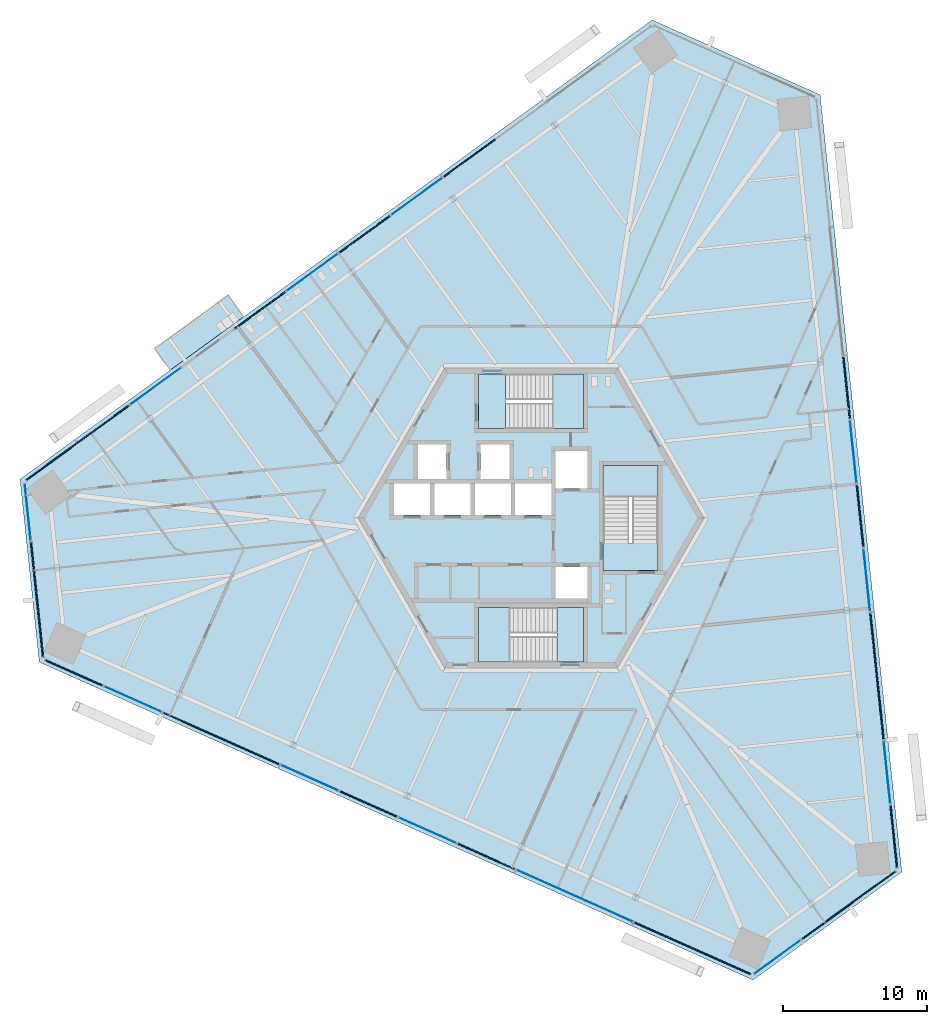
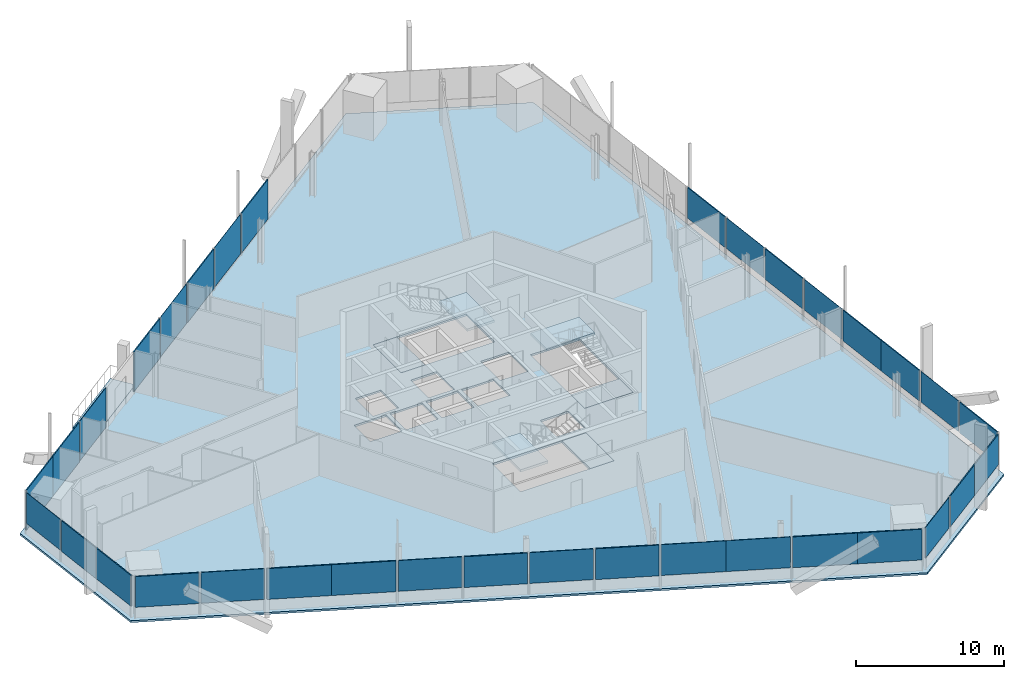
# One storey, part 9 of 21: 34 plates, 8 slabs, 30 elements without a shape of their own.
"""IFC4 building model written with IfcOpenShell, lengths in metres."""

from ifc_helpers import new_model, si_unit, direction, frame, origin, origin_2d, place, context, subcontext, project, spatial, polyline, rectangle, outline, extrude, source, transform, mapped, material, layer, layer_set, type_object, element, aggregate, save


model = new_model("IFC4")

# Units and contexts
model_context = context("Model", 3, precision=1e-05, world=origin(), true_north=direction((0.0, 1.0)))
body_context = subcontext(model_context, "Body", "Model", "MODEL_VIEW")
ifc_project = project(units=[si_unit("LENGTHUNIT", "METRE"), si_unit("AREAUNIT", "SQUARE_METRE"), si_unit("VOLUMEUNIT", "CUBIC_METRE"), si_unit("PLANEANGLEUNIT", "RADIAN"), si_unit("MASSUNIT", "GRAM", prefix="KILO")], contexts=[model_context])

# Site, building, storey
site_placement = place(None, origin())
site = spatial("IfcSite", under=ifc_project, at=site_placement, CompositionType="ELEMENT")
building_placement = place(site_placement, origin())
building = spatial("IfcBuilding", under=site, at=building_placement, Name="Triune Harvest Tower", CompositionType="ELEMENT")
storey_placement = place(building_placement, frame((0.0, 0.0, 87.300048828125)))
storey = spatial("IfcBuildingStorey", under=building, at=storey_placement, Name="L21", CompositionType="ELEMENT", Elevation=87.300048828125)

# Slab
ifc_material_1 = material(Name="Concrete 40 MPa", Category="concrete")
ifc_layer_1 = layer(ifc_material_1, 0.159912109375)
ifc_layer_set_1 = layer_set([ifc_layer_1], Name="Concrete 40 MPa")
slab_type_1 = type_object("IfcSlabType", Name="BA-1 balcony slab 160", PredefinedType="FLOOR", material=ifc_layer_set_1)
slab_1_placement = place(storey_placement, frame((0.0, 0.0, -0.16015625)))
element("IfcSlab", 1, at=slab_1_placement, inside=storey, type_object=slab_type_1, Name="Balcony slab B2-F3 L21.9", PredefinedType="FLOOR", context=body_context, shape_type="SweptSolid", body=[
    extrude(outline(polyline([(-19.9189453125, 13.954833984375), (-25.01708984375, 10.2509765625), (-26.101318359375, 11.743408203125), (-21.003173828125, 15.447265625), (-19.9189453125, 13.954833984375)])), origin(), (0.0, 0.0, 1.0), 0.16015625),
])

# Curtain wall, plate
ifc_material_2 = material(Name="Aluminium bronze anodised", Category="aluminium")
curtain_wall_type_1 = type_object("IfcCurtainWallType", Name="CW-6 Balcony window wall", PredefinedType="NOTDEFINED", material=ifc_material_2)
curtain_wall_1_placement = place(storey_placement, origin())
curtain_wall_1 = element("IfcCurtainWall", 2, at=curtain_wall_1_placement, inside=storey, type_object=curtain_wall_type_1, Name="CW-6 B2-F3 L21 run 3001")
ifc_material_3 = material(Name="Glass", Category="glass")
ifc_layer_2 = layer(ifc_material_3, 0.030029296875)
ifc_layer_set_2 = layer_set([ifc_layer_2], Name="Glass")
plate_type_1 = type_object("IfcPlateType", Name="GL-6 panel 30", PredefinedType="CURTAIN_PANEL", material=ifc_layer_set_2)
plate_1_placement = place(storey_placement, frame((-7.929931640625, 22.29443359375, 0.14990234375), z_axis=(0.0, 0.0, 1.0), x_axis=(-0.809021101317, -0.58777959953, 0.0)))
plate_1 = element("IfcPlate", 3, at=plate_1_placement, type_object=plate_type_1, Name="CW-6 panel B2-F3 3001.1", PredefinedType="CURTAIN_PANEL", context=body_context, shape_type="SweptSolid", body=[
    extrude(rectangle(XDim=4.32421875, YDim=0.030029296875, at=origin_2d()), origin(), (0.0, 0.0, 1.0), 3.2900390625),
])
aggregate(curtain_wall_1, [plate_1])

curtain_wall_2_placement = place(storey_placement, origin())
curtain_wall_2 = element("IfcCurtainWall", 4, at=curtain_wall_2_placement, inside=storey, type_object=curtain_wall_type_1, Name="CW-6 B2-F3 L21 run 2")
plate_2_placement = place(storey_placement, frame((-26.030517578125, 9.143798828125, 0.14990234375), z_axis=(0.0, 0.0, 1.0), x_axis=(-0.809011145328, -0.587793302731, 0.0)))
plate_2 = element("IfcPlate", 5, at=plate_2_placement, type_object=plate_type_1, Name="CW-6 panel B2-F3 2.1", PredefinedType="CURTAIN_PANEL", context=body_context, shape_type="SweptSolid", body=[
    extrude(rectangle(XDim=4.3056640625, YDim=0.030029296875, at=origin_2d()), origin(), (0.0, 0.0, 1.0), 3.2900390625),
])
aggregate(curtain_wall_2, [plate_2])

# Slab
ifc_material_4 = material(Name="Concrete 40 MPa", Category="concrete")
ifc_layer_3 = layer(ifc_material_4, 0.159912109375)
ifc_layer_set_3 = layer_set([ifc_layer_3], Name="Concrete 40 MPa")
slab_type_2 = type_object("IfcSlabType", Name="SL-1 Composite floor slab 160", PredefinedType="FLOOR", material=ifc_layer_set_3)
shared_shape_1 = source(origin(), body_context, "Body", "SweptSolid", [
    extrude(outline(polyline([(25.703125, -24.534423828125), (20.04052734375, 29.34228515625), (8.395751953125, 34.526611328125), (-35.431396484375, 2.6845703125), (-34.098876953125, -9.992431640625), (15.390869140625, -32.026611328125), (25.703125, -24.534423828125)]), holes=[polyline([(-7.0, 0.2099609375), (-7.0, 2.409912109375), (-9.5, 2.409912109375), (-9.5, 0.2099609375), (-7.0, 0.2099609375)]), polyline([(-4.199951171875, 0.2099609375), (-4.199951171875, 2.409912109375), (-6.699951171875, 2.409912109375), (-6.699951171875, 0.2099609375), (-4.199951171875, 0.2099609375)]), polyline([(-1.39990234375, 0.2099609375), (-1.39990234375, 2.409912109375), (-3.89990234375, 2.409912109375), (-3.89990234375, 0.2099609375), (-1.39990234375, 0.2099609375)]), polyline([(1.39990234375, 0.2099609375), (1.39990234375, 2.409912109375), (-1.10009765625, 2.409912109375), (-1.10009765625, 0.2099609375), (1.39990234375, 0.2099609375)]), polyline([(3.89990234375, 2.06005859375), (3.89990234375, 4.659912109375), (1.699951171875, 4.659912109375), (1.699951171875, 2.06005859375), (3.89990234375, 2.06005859375)]), polyline([(3.89990234375, -5.590087890625), (3.89990234375, -3.389892578125), (1.699951171875, -3.389892578125), (1.699951171875, -5.590087890625), (3.89990234375, -5.590087890625)]), polyline([(-5.85009765625, 2.7099609375), (-5.85009765625, 5.110107421875), (-7.85009765625, 5.110107421875), (-7.85009765625, 2.7099609375), (-5.85009765625, 2.7099609375)]), polyline([(-1.5, 2.7099609375), (-1.5, 5.110107421875), (-3.5, 5.110107421875), (-3.5, 2.7099609375), (-1.5, 2.7099609375)]), polyline([(3.64990234375, 6.18994140625), (3.64990234375, 9.989990234375), (-3.64990234375, 9.989990234375), (-3.64990234375, 6.18994140625), (3.64990234375, 6.18994140625)]), polyline([(3.64990234375, -9.989990234375), (3.64990234375, -6.18994140625), (-3.64990234375, -6.18994140625), (-3.64990234375, -9.989990234375), (3.64990234375, -9.989990234375)]), polyline([(8.800048828125, -3.64990234375), (8.800048828125, 3.64990234375), (5.0, 3.64990234375), (5.0, -3.64990234375), (8.800048828125, -3.64990234375)])]), origin(), (0.0, 0.0, 1.0), 0.16015625),
])
slab_2_placement = place(storey_placement, frame((0.0, 0.0, -0.16015625)))
element("IfcSlab", 6, at=slab_2_placement, inside=storey, type_object=slab_type_2, Name="slab/L21/1", PredefinedType="FLOOR", context=body_context, shape_type="MappedRepresentation", body=[
    mapped(shared_shape_1, transform((0.0, 0.0, 0.0), scale=1.0)),
])

# Stair, slabs
ifc_material_5 = material(Name="Concrete 40 MPa", Category="concrete")
stair_type = type_object("IfcStairType", Name="Exit stair 1800 half turn", PredefinedType="HALF_TURN_STAIR", material=ifc_material_5)
stair_1_placement = place(storey_placement, origin())
stair_1 = element("IfcStair", 7, at=stair_1_placement, inside=storey, type_object=stair_type, Name="Exit stair north", PredefinedType="HALF_TURN_STAIR")
ifc_material_6 = material(Name="Concrete 40 MPa", Category="concrete")
ifc_layer_4 = layer(ifc_material_6, 0.199951171875)
ifc_layer_set_4 = layer_set([ifc_layer_4], Name="Concrete 40 MPa")
slab_type_3 = type_object("IfcSlabType", Name="Stair landing 200", PredefinedType="LANDING", material=ifc_layer_set_4)
shared_shape_2 = source(origin(), body_context, "Body", "SweptSolid", [
    extrude(outline(polyline([(-3.64990234375, 6.18994140625), (-1.780029296875, 6.18994140625), (-1.780029296875, 9.989990234375), (-3.64990234375, 9.989990234375), (-3.64990234375, 6.18994140625)])), origin(), (0.0, 0.0, 1.0), 0.199951171875),
])
slab_3_placement = place(storey_placement, frame((0.0, 0.0, -0.199951171875)))
slab_3 = element("IfcSlab", 8, at=slab_3_placement, type_object=slab_type_3, Name="ST-1 landing 1", PredefinedType="LANDING", context=body_context, shape_type="MappedRepresentation", body=[
    mapped(shared_shape_2, transform((0.0, 0.0, 0.0), scale=1.0)),
])
shared_shape_3 = source(origin(), body_context, "Body", "SweptSolid", [
    extrude(outline(polyline([(1.510009765625, 6.18994140625), (3.64990234375, 6.18994140625), (3.64990234375, 9.989990234375), (1.510009765625, 9.989990234375), (1.510009765625, 6.18994140625)])), origin(), (0.0, 0.0, 1.0), 0.2001953125),
])
slab_4_placement = place(storey_placement, frame((0.0, 0.0, 1.599853515625)))
slab_4 = element("IfcSlab", 9, at=slab_4_placement, type_object=slab_type_3, Name="ST-1 landing 2", PredefinedType="LANDING", context=body_context, shape_type="MappedRepresentation", body=[
    mapped(shared_shape_3, transform((0.0, 0.0, 0.0), scale=1.0)),
])
aggregate(stair_1, [slab_3, slab_4])

stair_2_placement = place(storey_placement, origin())
stair_2 = element("IfcStair", 10, at=stair_2_placement, inside=storey, type_object=stair_type, Name="Exit stair south", PredefinedType="HALF_TURN_STAIR")
shared_shape_4 = source(origin(), body_context, "Body", "SweptSolid", [
    extrude(outline(polyline([(3.64990234375, -6.18994140625), (1.780029296875, -6.18994140625), (1.780029296875, -9.989990234375), (3.64990234375, -9.989990234375), (3.64990234375, -6.18994140625)])), origin(), (0.0, 0.0, 1.0), 0.199951171875),
])
slab_5_placement = place(storey_placement, frame((0.0, 0.0, -0.199951171875)))
slab_5 = element("IfcSlab", 11, at=slab_5_placement, type_object=slab_type_3, Name="ST-2 landing 1", PredefinedType="LANDING", context=body_context, shape_type="MappedRepresentation", body=[
    mapped(shared_shape_4, transform((0.0, 0.0, 0.0), scale=1.0)),
])
shared_shape_5 = source(origin(), body_context, "Body", "SweptSolid", [
    extrude(outline(polyline([(-1.510009765625, -6.18994140625), (-3.64990234375, -6.18994140625), (-3.64990234375, -9.989990234375), (-1.510009765625, -9.989990234375), (-1.510009765625, -6.18994140625)])), origin(), (0.0, 0.0, 1.0), 0.2001953125),
])
slab_6_placement = place(storey_placement, frame((0.0, 0.0, 1.599853515625)))
slab_6 = element("IfcSlab", 12, at=slab_6_placement, type_object=slab_type_3, Name="ST-2 landing 2", PredefinedType="LANDING", context=body_context, shape_type="MappedRepresentation", body=[
    mapped(shared_shape_5, transform((0.0, 0.0, 0.0), scale=1.0)),
])
aggregate(stair_2, [slab_5, slab_6])

stair_3_placement = place(storey_placement, origin())
stair_3 = element("IfcStair", 13, at=stair_3_placement, inside=storey, type_object=stair_type, Name="Exit stair east", PredefinedType="HALF_TURN_STAIR")
shared_shape_6 = source(origin(), body_context, "Body", "SweptSolid", [
    extrude(outline(polyline([(8.800048828125, -3.64990234375), (8.800048828125, -1.780029296875), (5.0, -1.780029296875), (5.0, -3.64990234375), (8.800048828125, -3.64990234375)])), origin(), (0.0, 0.0, 1.0), 0.199951171875),
])
slab_7_placement = place(storey_placement, frame((0.0, 0.0, -0.199951171875)))
slab_7 = element("IfcSlab", 14, at=slab_7_placement, type_object=slab_type_3, Name="ST-3 landing 1", PredefinedType="LANDING", context=body_context, shape_type="MappedRepresentation", body=[
    mapped(shared_shape_6, transform((0.0, 0.0, 0.0), scale=1.0)),
])
shared_shape_7 = source(origin(), body_context, "Body", "SweptSolid", [
    extrude(outline(polyline([(8.800048828125, 1.510009765625), (8.800048828125, 3.64990234375), (5.0, 3.64990234375), (5.0, 1.510009765625), (8.800048828125, 1.510009765625)])), origin(), (0.0, 0.0, 1.0), 0.2001953125),
])
slab_8_placement = place(storey_placement, frame((0.0, 0.0, 1.599853515625)))
slab_8 = element("IfcSlab", 15, at=slab_8_placement, type_object=slab_type_3, Name="ST-3 landing 2", PredefinedType="LANDING", context=body_context, shape_type="MappedRepresentation", body=[
    mapped(shared_shape_7, transform((0.0, 0.0, 0.0), scale=1.0)),
])
aggregate(stair_3, [slab_7, slab_8])

# Curtain wall, plates
ifc_material_7 = material(Name="Aluminium bronze anodised", Category="aluminium")
curtain_wall_type_2 = type_object("IfcCurtainWallType", Name="CW-10 Balcony window wall with insulated spandrel infill", PredefinedType="NOTDEFINED", material=ifc_material_7)
curtain_wall_3_placement = place(storey_placement, origin())
curtain_wall_3 = element("IfcCurtainWall", 16, at=curtain_wall_3_placement, inside=storey, type_object=curtain_wall_type_2, Name="CW-10 B2-F3 L21 run 1002")
ifc_material_8 = material(Name="Insulated spandrel panel, bronze aluminium pan", Category="aluminium")
ifc_layer_5 = layer(ifc_material_8, 0.080078125)
ifc_layer_set_5 = layer_set([ifc_layer_5], Name="Insulated spandrel panel, bronze aluminium pan")
plate_type_2 = type_object("IfcPlateType", Name="SP-1 insulated spandrel panel 80", PredefinedType="CURTAIN_PANEL", material=ifc_layer_set_5)
shared_shape_8 = source(origin(), body_context, "Body", "SweptSolid", [
    extrude(rectangle(XDim=4.380615234375, YDim=0.080078125, at=origin_2d()), origin(), (0.0, 0.0, 1.0), 3.2900390625),
])
plate_3_placement = place(storey_placement, frame((-29.665283203125, 6.5029296875, 0.14990234375), z_axis=(0.0, 0.0, 1.0), x_axis=(-0.80901994747, -0.587781187685, 0.0)))
plate_3 = element("IfcPlate", 17, at=plate_3_placement, type_object=plate_type_2, Name="CW-10 panel B2-F3 1002.1", PredefinedType="CURTAIN_PANEL", context=body_context, shape_type="MappedRepresentation", body=[
    mapped(shared_shape_8, transform((0.0, 0.0, 0.0), scale=1.0)),
])
plate_4_placement = place(storey_placement, frame((-33.209228515625, 3.927978515625, 0.14990234375), z_axis=(0.0, 0.0, 1.0), x_axis=(-0.80901994747, -0.587781187685, 0.0)))
plate_4 = element("IfcPlate", 18, at=plate_4_placement, type_object=plate_type_2, Name="CW-10 panel B2-F3 1002.2", PredefinedType="CURTAIN_PANEL", context=body_context, shape_type="MappedRepresentation", body=[
    mapped(shared_shape_8, transform((0.0, 0.0, 0.0), scale=1.0)),
])
aggregate(curtain_wall_3, [plate_3, plate_4])

ifc_material_9 = material(Name="Aluminium bronze anodised", Category="aluminium")
curtain_wall_type_3 = type_object("IfcCurtainWallType", Name="CW-7 Tower stick curtain wall with insulated spandrel infill", PredefinedType="NOTDEFINED", material=ifc_material_9)
curtain_wall_4_placement = place(storey_placement, origin())
curtain_wall_4 = element("IfcCurtainWall", 19, at=curtain_wall_4_placement, inside=storey, type_object=curtain_wall_type_3, Name="CW-7 B2-F1 L21 run 2001")
shared_shape_9 = source(origin(), body_context, "Body", "SweptSolid", [
    extrude(rectangle(XDim=4.3955078125, YDim=0.080078125, at=origin_2d()), origin(), (0.0, 0.0, 1.0), 2.5400390625),
])
plate_5_placement = place(storey_placement, frame((24.205078125, -13.1513671875, 0.89990234375), z_axis=(0.0, 0.0, 1.0), x_axis=(-0.104527591495, 0.994521986995, 0.0)))
plate_5 = element("IfcPlate", 20, at=plate_5_placement, type_object=plate_type_2, Name="CW-7 panel B2-F1 2001.1", PredefinedType="CURTAIN_PANEL", context=body_context, shape_type="MappedRepresentation", body=[
    mapped(shared_shape_9, transform((0.0, 0.0, 0.0), scale=1.0)),
])
plate_6_placement = place(storey_placement, frame((23.74560546875, -8.780029296875, 0.89990234375), z_axis=(0.0, 0.0, 1.0), x_axis=(-0.104527591495, 0.994521986995, 0.0)))
plate_6 = element("IfcPlate", 21, at=plate_6_placement, type_object=plate_type_2, Name="CW-7 panel B2-F1 2001.2", PredefinedType="CURTAIN_PANEL", context=body_context, shape_type="MappedRepresentation", body=[
    mapped(shared_shape_9, transform((0.0, 0.0, 0.0), scale=1.0)),
])
aggregate(curtain_wall_4, [plate_5, plate_6])

curtain_wall_5_placement = place(storey_placement, origin())
curtain_wall_5 = element("IfcCurtainWall", 22, at=curtain_wall_5_placement, inside=storey, type_object=curtain_wall_type_3, Name="CW-7 B2-F5 L21 run 2001")
plate_7_placement = place(storey_placement, frame((-23.491943359375, -14.386474609375, 0.89990234375), z_axis=(0.0, 0.0, 1.0), x_axis=(0.913544311665, -0.406739216975, 0.0)))
plate_7 = element("IfcPlate", 23, at=plate_7_placement, type_object=plate_type_2, Name="CW-7 panel B2-F5 2001.1", PredefinedType="CURTAIN_PANEL", context=body_context, shape_type="MappedRepresentation", body=[
    mapped(shared_shape_9, transform((0.0, 0.0, 0.0), scale=1.0)),
])
plate_8_placement = place(storey_placement, frame((-19.476318359375, -16.17431640625, 0.89990234375), z_axis=(0.0, 0.0, 1.0), x_axis=(0.913544311665, -0.406739216975, 0.0)))
plate_8 = element("IfcPlate", 24, at=plate_8_placement, type_object=plate_type_2, Name="CW-7 panel B2-F5 2001.2", PredefinedType="CURTAIN_PANEL", context=body_context, shape_type="MappedRepresentation", body=[
    mapped(shared_shape_9, transform((0.0, 0.0, 0.0), scale=1.0)),
])
aggregate(curtain_wall_5, [plate_7, plate_8])

curtain_wall_6_placement = place(storey_placement, origin())
curtain_wall_6 = element("IfcCurtainWall", 25, at=curtain_wall_6_placement, inside=storey, type_object=curtain_wall_type_3, Name="CW-7 B2-F5 L21 run 8001")
plate_9_placement = place(storey_placement, frame((9.1806640625, -28.933349609375, 0.89990234375), z_axis=(0.0, 0.0, 1.0), x_axis=(0.913546072938, -0.406735261097, 0.0)))
plate_9 = element("IfcPlate", 26, at=plate_9_placement, type_object=plate_type_2, Name="CW-7 panel B2-F5 8001.1", PredefinedType="CURTAIN_PANEL", context=body_context, shape_type="MappedRepresentation", body=[
    mapped(shared_shape_9, transform((0.0, 0.0, 0.0), scale=1.0)),
])
plate_10_placement = place(storey_placement, frame((13.1962890625, -30.72119140625, 0.89990234375), z_axis=(0.0, 0.0, 1.0), x_axis=(0.913546072938, -0.406735261097, 0.0)))
plate_10 = element("IfcPlate", 27, at=plate_10_placement, type_object=plate_type_2, Name="CW-7 panel B2-F5 8001.2", PredefinedType="CURTAIN_PANEL", context=body_context, shape_type="MappedRepresentation", body=[
    mapped(shared_shape_9, transform((0.0, 0.0, 0.0), scale=1.0)),
])
aggregate(curtain_wall_6, [plate_9, plate_10])

ifc_material_10 = material(Name="Aluminium bronze anodised", Category="aluminium")
curtain_wall_type_4 = type_object("IfcCurtainWallType", Name="CW-1 Tower stick curtain wall", PredefinedType="NOTDEFINED", material=ifc_material_10)
curtain_wall_7_placement = place(storey_placement, origin())
curtain_wall_7 = element("IfcCurtainWall", 28, at=curtain_wall_7_placement, inside=storey, type_object=curtain_wall_type_4, Name="CW-1 B2-F5 L21 run 7001")
ifc_material_11 = material(Name="Glass", Category="glass")
ifc_layer_6 = layer(ifc_material_11, 0.031982421875)
ifc_layer_set_6 = layer_set([ifc_layer_6], Name="Glass")
plate_type_3 = type_object("IfcPlateType", Name="GL-1 panel 32", PredefinedType="CURTAIN_PANEL", material=ifc_layer_set_6)
shared_shape_10 = source(origin(), body_context, "Body", "SweptSolid", [
    extrude(rectangle(XDim=4.3955078125, YDim=0.031982421875, at=origin_2d()), origin(), (0.0, 0.0, 1.0), 2.5400390625),
])
plate_11_placement = place(storey_placement, frame((1.012451171875, -25.296630859375, 0.89990234375), z_axis=(0.0, 0.0, 1.0), x_axis=(0.913544311665, -0.406739216975, 0.0)))
plate_11 = element("IfcPlate", 29, at=plate_11_placement, type_object=plate_type_3, Name="CW-1 panel B2-F5 7001.1", PredefinedType="CURTAIN_PANEL", context=body_context, shape_type="MappedRepresentation", body=[
    mapped(shared_shape_10, transform((0.0, 0.0, 0.0), scale=1.0)),
])
plate_12_placement = place(storey_placement, frame((5.028076171875, -27.08447265625, 0.89990234375), z_axis=(0.0, 0.0, 1.0), x_axis=(0.913544311665, -0.406739216975, 0.0)))
plate_12 = element("IfcPlate", 30, at=plate_12_placement, type_object=plate_type_3, Name="CW-1 panel B2-F5 7001.2", PredefinedType="CURTAIN_PANEL", context=body_context, shape_type="MappedRepresentation", body=[
    mapped(shared_shape_10, transform((0.0, 0.0, 0.0), scale=1.0)),
])
aggregate(curtain_wall_7, [plate_11, plate_12])

# Curtain wall, plate
curtain_wall_8_placement = place(storey_placement, origin())
curtain_wall_8 = element("IfcCurtainWall", 31, at=curtain_wall_8_placement, inside=storey, type_object=curtain_wall_type_2, Name="CW-10 B2-F3 L21 run 2001")
shared_shape_11 = source(origin(), body_context, "Body", "SweptSolid", [
    extrude(rectangle(XDim=4.3994140625, YDim=0.080078125, at=origin_2d()), origin(), (0.0, 0.0, 1.0), 3.2900390625),
])
plate_13_placement = place(storey_placement, frame((-4.27978515625, 24.946533203125, 0.14990234375), z_axis=(0.0, 0.0, 1.0), x_axis=(-0.809015787345, -0.587786913623, 0.0)))
plate_13 = element("IfcPlate", 32, at=plate_13_placement, type_object=plate_type_2, Name="CW-10 panel B2-F3 2001.2", PredefinedType="CURTAIN_PANEL", context=body_context, shape_type="MappedRepresentation", body=[
    mapped(shared_shape_11, transform((0.0, 0.0, 0.0), scale=1.0)),
])
aggregate(curtain_wall_8, [plate_13])

curtain_wall_9_placement = place(storey_placement, origin())
curtain_wall_9 = element("IfcCurtainWall", 33, at=curtain_wall_9_placement, inside=storey, type_object=curtain_wall_type_3, Name="CW-7 B2-F1 L21 run 1")
shared_shape_12 = source(origin(), body_context, "Body", "SweptSolid", [
    extrude(rectangle(XDim=4.320556640625, YDim=0.080078125, at=origin_2d()), origin(), (0.0, 0.0, 1.0), 2.5400390625),
])
plate_14_placement = place(storey_placement, frame((25.1435546875, -22.0810546875, 0.89990234375), z_axis=(0.0, 0.0, 1.0), x_axis=(-0.104526099273, 0.994522143831, 0.0)))
plate_14 = element("IfcPlate", 34, at=plate_14_placement, type_object=plate_type_2, Name="CW-7 panel B2-F1 1.1", PredefinedType="CURTAIN_PANEL", context=body_context, shape_type="MappedRepresentation", body=[
    mapped(shared_shape_12, transform((0.0, 0.0, 0.0), scale=1.0)),
])
aggregate(curtain_wall_9, [plate_14])

curtain_wall_10_placement = place(storey_placement, origin())
curtain_wall_10 = element("IfcCurtainWall", 35, at=curtain_wall_10_placement, inside=storey, type_object=curtain_wall_type_3, Name="CW-7 B2-F1 L21 run 4001")
plate_15_placement = place(storey_placement, frame((22.80712890625, 0.149658203125, 0.89990234375), z_axis=(0.0, 0.0, 1.0), x_axis=(-0.104527591495, 0.994521986995, 0.0)))
plate_15 = element("IfcPlate", 36, at=plate_15_placement, type_object=plate_type_2, Name="CW-7 panel B2-F1 4001.1", PredefinedType="CURTAIN_PANEL", context=body_context, shape_type="MappedRepresentation", body=[
    mapped(shared_shape_12, transform((0.0, 0.0, 0.0), scale=1.0)),
])
aggregate(curtain_wall_10, [plate_15])

curtain_wall_11_placement = place(storey_placement, origin())
curtain_wall_11 = element("IfcCurtainWall", 37, at=curtain_wall_11_placement, inside=storey, type_object=curtain_wall_type_3, Name="CW-7 B2-F1 L21 run 6001")
plate_16_placement = place(storey_placement, frame((21.87255859375, 9.041748046875, 0.89990234375), z_axis=(0.0, 0.0, 1.0), x_axis=(-0.104527591495, 0.994521986995, 0.0)))
plate_16 = element("IfcPlate", 38, at=plate_16_placement, type_object=plate_type_2, Name="CW-7 panel B2-F1 6001.1", PredefinedType="CURTAIN_PANEL", context=body_context, shape_type="MappedRepresentation", body=[
    mapped(shared_shape_12, transform((0.0, 0.0, 0.0), scale=1.0)),
])
aggregate(curtain_wall_11, [plate_16])

curtain_wall_12_placement = place(storey_placement, origin())
curtain_wall_12 = element("IfcCurtainWall", 39, at=curtain_wall_12_placement, inside=storey, type_object=curtain_wall_type_3, Name="CW-7 B2-F5 L21 run 1")
plate_17_placement = place(storey_placement, frame((-31.6943359375, -10.734619140625, 0.89990234375), z_axis=(0.0, 0.0, 1.0), x_axis=(0.913541828176, -0.406744794893, 0.0)))
plate_17 = element("IfcPlate", 40, at=plate_17_placement, type_object=plate_type_2, Name="CW-7 panel B2-F5 1.1", PredefinedType="CURTAIN_PANEL", context=body_context, shape_type="MappedRepresentation", body=[
    mapped(shared_shape_12, transform((0.0, 0.0, 0.0), scale=1.0)),
])
aggregate(curtain_wall_12, [plate_17])

curtain_wall_13_placement = place(storey_placement, origin())
curtain_wall_13 = element("IfcCurtainWall", 41, at=curtain_wall_13_placement, inside=storey, type_object=curtain_wall_type_3, Name="CW-7 B2-F5 L21 run 4001")
plate_18_placement = place(storey_placement, frame((-11.27392578125, -19.826416015625, 0.89990234375), z_axis=(0.0, 0.0, 1.0), x_axis=(0.913546617186, -0.406734038688, 0.0)))
plate_18 = element("IfcPlate", 42, at=plate_18_placement, type_object=plate_type_2, Name="CW-7 panel B2-F5 4001.1", PredefinedType="CURTAIN_PANEL", context=body_context, shape_type="MappedRepresentation", body=[
    mapped(shared_shape_12, transform((0.0, 0.0, 0.0), scale=1.0)),
])
aggregate(curtain_wall_13, [plate_18])

curtain_wall_14_placement = place(storey_placement, origin())
curtain_wall_14 = element("IfcCurtainWall", 43, at=curtain_wall_14_placement, inside=storey, type_object=curtain_wall_type_3, Name="CW-7 B2-F5 L21 run 6001")
plate_19_placement = place(storey_placement, frame((-3.10595703125, -23.462890625, 0.89990234375), z_axis=(0.0, 0.0, 1.0), x_axis=(0.913542006177, -0.406744395105, 0.0)))
plate_19 = element("IfcPlate", 44, at=plate_19_placement, type_object=plate_type_2, Name="CW-7 panel B2-F5 6001.1", PredefinedType="CURTAIN_PANEL", context=body_context, shape_type="MappedRepresentation", body=[
    mapped(shared_shape_12, transform((0.0, 0.0, 0.0), scale=1.0)),
])
aggregate(curtain_wall_14, [plate_19])

curtain_wall_15_placement = place(storey_placement, origin())
curtain_wall_15 = element("IfcCurtainWall", 45, at=curtain_wall_15_placement, inside=storey, type_object=curtain_wall_type_4, Name="CW-1 B2-F1 L21 run 1001")
shared_shape_13 = source(origin(), body_context, "Body", "SweptSolid", [
    extrude(rectangle(XDim=4.320556640625, YDim=0.031982421875, at=origin_2d()), origin(), (0.0, 0.0, 1.0), 2.5400390625),
])
plate_20_placement = place(storey_placement, frame((24.67626953125, -17.634765625, 0.89990234375), z_axis=(0.0, 0.0, 1.0), x_axis=(-0.104527591495, 0.994521986995, 0.0)))
plate_20 = element("IfcPlate", 46, at=plate_20_placement, type_object=plate_type_3, Name="CW-1 panel B2-F1 1001.1", PredefinedType="CURTAIN_PANEL", context=body_context, shape_type="MappedRepresentation", body=[
    mapped(shared_shape_13, transform((0.0, 0.0, 0.0), scale=1.0)),
])
aggregate(curtain_wall_15, [plate_20])

curtain_wall_16_placement = place(storey_placement, origin())
curtain_wall_16 = element("IfcCurtainWall", 47, at=curtain_wall_16_placement, inside=storey, type_object=curtain_wall_type_4, Name="CW-1 B2-F1 L21 run 3001")
plate_21_placement = place(storey_placement, frame((23.2744140625, -4.296630859375, 0.89990234375), z_axis=(0.0, 0.0, 1.0), x_axis=(-0.104527591495, 0.994521986995, 0.0)))
plate_21 = element("IfcPlate", 48, at=plate_21_placement, type_object=plate_type_3, Name="CW-1 panel B2-F1 3001.1", PredefinedType="CURTAIN_PANEL", context=body_context, shape_type="MappedRepresentation", body=[
    mapped(shared_shape_13, transform((0.0, 0.0, 0.0), scale=1.0)),
])
aggregate(curtain_wall_16, [plate_21])

curtain_wall_17_placement = place(storey_placement, origin())
curtain_wall_17 = element("IfcCurtainWall", 49, at=curtain_wall_17_placement, inside=storey, type_object=curtain_wall_type_4, Name="CW-1 B2-F1 L21 run 5001")
plate_22_placement = place(storey_placement, frame((22.33984375, 4.595703125, 0.89990234375), z_axis=(0.0, 0.0, 1.0), x_axis=(-0.104529916852, 0.994521742589, 0.0)))
plate_22 = element("IfcPlate", 50, at=plate_22_placement, type_object=plate_type_3, Name="CW-1 panel B2-F1 5001.1", PredefinedType="CURTAIN_PANEL", context=body_context, shape_type="MappedRepresentation", body=[
    mapped(shared_shape_13, transform((0.0, 0.0, 0.0), scale=1.0)),
])
aggregate(curtain_wall_17, [plate_22])

curtain_wall_18_placement = place(storey_placement, origin())
curtain_wall_18 = element("IfcCurtainWall", 51, at=curtain_wall_18_placement, inside=storey, type_object=curtain_wall_type_4, Name="CW-1 B2-F5 L21 run 1001")
plate_23_placement = place(storey_placement, frame((-27.6103515625, -12.552978515625, 0.89990234375), z_axis=(0.0, 0.0, 1.0), x_axis=(0.913550317615, -0.406725727224, 0.0)))
plate_23 = element("IfcPlate", 52, at=plate_23_placement, type_object=plate_type_3, Name="CW-1 panel B2-F5 1001.1", PredefinedType="CURTAIN_PANEL", context=body_context, shape_type="MappedRepresentation", body=[
    mapped(shared_shape_13, transform((0.0, 0.0, 0.0), scale=1.0)),
])
aggregate(curtain_wall_18, [plate_23])

curtain_wall_19_placement = place(storey_placement, origin())
curtain_wall_19 = element("IfcCurtainWall", 53, at=curtain_wall_19_placement, inside=storey, type_object=curtain_wall_type_4, Name="CW-1 B2-F5 L21 run 3001")
plate_24_placement = place(storey_placement, frame((-15.358154296875, -18.008056640625, 0.89990234375), z_axis=(0.0, 0.0, 1.0), x_axis=(0.913542006177, -0.406744395105, 0.0)))
plate_24 = element("IfcPlate", 54, at=plate_24_placement, type_object=plate_type_3, Name="CW-1 panel B2-F5 3001.1", PredefinedType="CURTAIN_PANEL", context=body_context, shape_type="MappedRepresentation", body=[
    mapped(shared_shape_13, transform((0.0, 0.0, 0.0), scale=1.0)),
])
aggregate(curtain_wall_19, [plate_24])

curtain_wall_20_placement = place(storey_placement, origin())
curtain_wall_20 = element("IfcCurtainWall", 55, at=curtain_wall_20_placement, inside=storey, type_object=curtain_wall_type_4, Name="CW-1 B2-F5 L21 run 5001")
plate_25_placement = place(storey_placement, frame((-7.18994140625, -21.64453125, 0.89990234375), z_axis=(0.0, 0.0, 1.0), x_axis=(0.913550317615, -0.406725727224, 0.0)))
plate_25 = element("IfcPlate", 56, at=plate_25_placement, type_object=plate_type_3, Name="CW-1 panel B2-F5 5001.1", PredefinedType="CURTAIN_PANEL", context=body_context, shape_type="MappedRepresentation", body=[
    mapped(shared_shape_13, transform((0.0, 0.0, 0.0), scale=1.0)),
])
aggregate(curtain_wall_20, [plate_25])

curtain_wall_21_placement = place(storey_placement, origin())
curtain_wall_21 = element("IfcCurtainWall", 57, at=curtain_wall_21_placement, inside=storey, type_object=curtain_wall_type_4, Name="CW-1 B2-F4 L21 run 1")
shared_shape_14 = source(origin(), body_context, "Body", "SweptSolid", [
    extrude(rectangle(XDim=3.92333984375, YDim=0.031982421875, at=origin_2d()), origin(), (0.0, 0.0, 1.0), 2.5400390625),
])
plate_26_placement = place(storey_placement, frame((-34.892578125, 0.428466796875, 0.89990234375), z_axis=(0.0, 0.0, 1.0), x_axis=(0.104529753221, -0.994521759788, 0.0)))
plate_26 = element("IfcPlate", 58, at=plate_26_placement, type_object=plate_type_3, Name="CW-1 panel B2-F4 1.1", PredefinedType="CURTAIN_PANEL", context=body_context, shape_type="MappedRepresentation", body=[
    mapped(shared_shape_14, transform((0.0, 0.0, 0.0), scale=1.0)),
])
aggregate(curtain_wall_21, [plate_26])

curtain_wall_22_placement = place(storey_placement, origin())
curtain_wall_22 = element("IfcCurtainWall", 59, at=curtain_wall_22_placement, inside=storey, type_object=curtain_wall_type_4, Name="CW-1 B2-F6 L21 run 1")
plate_27_placement = place(storey_placement, frame((17.0751953125, -30.43212890625, 0.89990234375), z_axis=(0.0, 0.0, 1.0), x_axis=(0.809010136269, 0.58779469155, 0.0)))
plate_27 = element("IfcPlate", 60, at=plate_27_placement, type_object=plate_type_3, Name="CW-1 panel B2-F6 1.1", PredefinedType="CURTAIN_PANEL", context=body_context, shape_type="MappedRepresentation", body=[
    mapped(shared_shape_14, transform((0.0, 0.0, 0.0), scale=1.0)),
])
aggregate(curtain_wall_22, [plate_27])

# Curtain wall, plates
curtain_wall_23_placement = place(storey_placement, origin())
curtain_wall_23 = element("IfcCurtainWall", 61, at=curtain_wall_23_placement, inside=storey, type_object=curtain_wall_type_3, Name="CW-7 B2-F6 L21 run 1001")
shared_shape_15 = source(origin(), body_context, "Body", "SweptSolid", [
    extrude(rectangle(XDim=3.998291015625, YDim=0.080078125, at=origin_2d()), origin(), (0.0, 0.0, 1.0), 2.5400390625),
])
plate_28_placement = place(storey_placement, frame((20.40087890625, -28.015869140625, 0.89990234375), z_axis=(0.0, 0.0, 1.0), x_axis=(0.809014785375, 0.587788292708, 0.0)))
plate_28 = element("IfcPlate", 62, at=plate_28_placement, type_object=plate_type_2, Name="CW-7 panel B2-F6 1001.1", PredefinedType="CURTAIN_PANEL", context=body_context, shape_type="MappedRepresentation", body=[
    mapped(shared_shape_15, transform((0.0, 0.0, 0.0), scale=1.0)),
])
plate_29_placement = place(storey_placement, frame((23.6357421875, -25.66552734375, 0.89990234375), z_axis=(0.0, 0.0, 1.0), x_axis=(0.809014785375, 0.587788292708, 0.0)))
plate_29 = element("IfcPlate", 63, at=plate_29_placement, type_object=plate_type_2, Name="CW-7 panel B2-F6 1001.2", PredefinedType="CURTAIN_PANEL", context=body_context, shape_type="MappedRepresentation", body=[
    mapped(shared_shape_15, transform((0.0, 0.0, 0.0), scale=1.0)),
])
aggregate(curtain_wall_23, [plate_28, plate_29])

# Curtain wall, plate
curtain_wall_24_placement = place(storey_placement, origin())
curtain_wall_24 = element("IfcCurtainWall", 64, at=curtain_wall_24_placement, inside=storey, type_object=curtain_wall_type_2, Name="CW-10 B2-F3 L21 run 4001")
shared_shape_16 = source(origin(), body_context, "Body", "SweptSolid", [
    extrude(rectangle(XDim=4.32421875, YDim=0.080078125, at=origin_2d()), origin(), (0.0, 0.0, 1.0), 3.2900390625),
])
plate_30_placement = place(storey_placement, frame((-11.5498046875, 19.66455078125, 0.14990234375), z_axis=(0.0, 0.0, 1.0), x_axis=(-0.809021101317, -0.58777959953, 0.0)))
plate_30 = element("IfcPlate", 65, at=plate_30_placement, type_object=plate_type_2, Name="CW-10 panel B2-F3 4001.1", PredefinedType="CURTAIN_PANEL", context=body_context, shape_type="MappedRepresentation", body=[
    mapped(shared_shape_16, transform((0.0, 0.0, 0.0), scale=1.0)),
])
aggregate(curtain_wall_24, [plate_30])

curtain_wall_25_placement = place(storey_placement, origin())
curtain_wall_25 = element("IfcCurtainWall", 66, at=curtain_wall_25_placement, inside=storey, type_object=curtain_wall_type_2, Name="CW-10 B2-F3 L21 run 6001")
plate_31_placement = place(storey_placement, frame((-18.789306640625, 14.40478515625, 0.14990234375), z_axis=(0.0, 0.0, 1.0), x_axis=(-0.809021101317, -0.58777959953, 0.0)))
plate_31 = element("IfcPlate", 67, at=plate_31_placement, type_object=plate_type_2, Name="CW-10 panel B2-F3 6001.1", PredefinedType="CURTAIN_PANEL", context=body_context, shape_type="MappedRepresentation", body=[
    mapped(shared_shape_16, transform((0.0, 0.0, 0.0), scale=1.0)),
])
aggregate(curtain_wall_25, [plate_31])

curtain_wall_26_placement = place(storey_placement, origin())
curtain_wall_26 = element("IfcCurtainWall", 68, at=curtain_wall_26_placement, inside=storey, type_object=curtain_wall_type_1, Name="CW-6 B2-F3 L21 run 5001")
shared_shape_17 = source(origin(), body_context, "Body", "SweptSolid", [
    extrude(rectangle(XDim=4.324462890625, YDim=0.030029296875, at=origin_2d()), origin(), (0.0, 0.0, 1.0), 3.2900390625),
])
plate_32_placement = place(storey_placement, frame((-15.16943359375, 17.03466796875, 0.14990234375), z_axis=(0.0, 0.0, 1.0), x_axis=(-0.809010473378, -0.58779422757, 0.0)))
plate_32 = element("IfcPlate", 69, at=plate_32_placement, type_object=plate_type_1, Name="CW-6 panel B2-F3 5001.1", PredefinedType="CURTAIN_PANEL", context=body_context, shape_type="MappedRepresentation", body=[
    mapped(shared_shape_17, transform((0.0, 0.0, 0.0), scale=1.0)),
])
aggregate(curtain_wall_26, [plate_32])

# Curtain wall, plates
curtain_wall_27_placement = place(storey_placement, origin())
curtain_wall_27 = element("IfcCurtainWall", 70, at=curtain_wall_27_placement, inside=storey, type_object=curtain_wall_type_3, Name="CW-7 B2-F4 L21 run 1001")
shared_shape_18 = source(origin(), body_context, "Body", "SweptSolid", [
    extrude(rectangle(XDim=3.99853515625, YDim=0.080078125, at=origin_2d()), origin(), (0.0, 0.0, 1.0), 2.5400390625),
])
plate_33_placement = place(storey_placement, frame((-34.462890625, -3.659912109375, 0.89990234375), z_axis=(0.0, 0.0, 1.0), x_axis=(0.1045293173, -0.994521805605, 0.0)))
plate_33 = element("IfcPlate", 71, at=plate_33_placement, type_object=plate_type_2, Name="CW-7 panel B2-F4 1001.1", PredefinedType="CURTAIN_PANEL", context=body_context, shape_type="MappedRepresentation", body=[
    mapped(shared_shape_18, transform((0.0, 0.0, 0.0), scale=1.0)),
])
plate_34_placement = place(storey_placement, frame((-34.044921875, -7.636474609375, 0.89990234375), z_axis=(0.0, 0.0, 1.0), x_axis=(0.1045293173, -0.994521805605, 0.0)))
plate_34 = element("IfcPlate", 72, at=plate_34_placement, type_object=plate_type_2, Name="CW-7 panel B2-F4 1001.2", PredefinedType="CURTAIN_PANEL", context=body_context, shape_type="MappedRepresentation", body=[
    mapped(shared_shape_18, transform((0.0, 0.0, 0.0), scale=1.0)),
])
aggregate(curtain_wall_27, [plate_33, plate_34])

save(model, "model.ifc")
